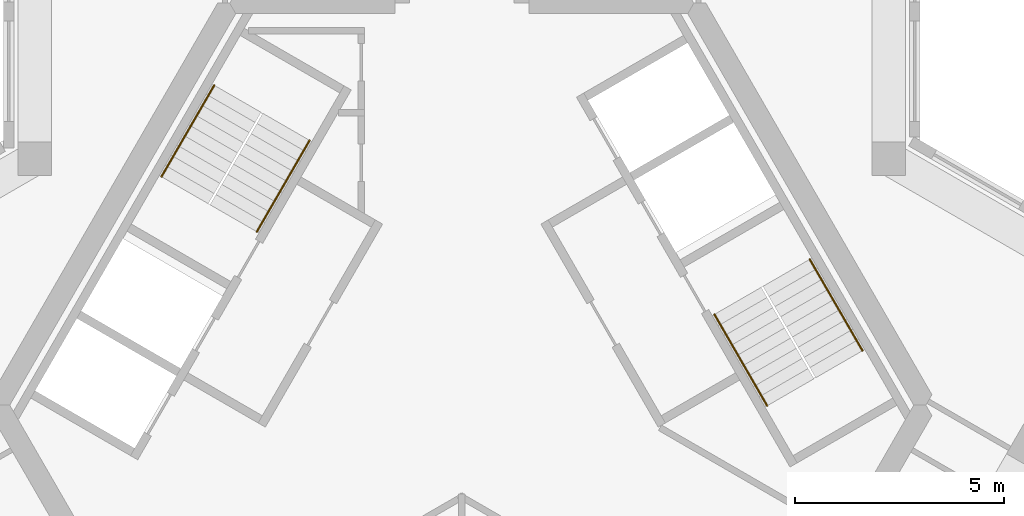
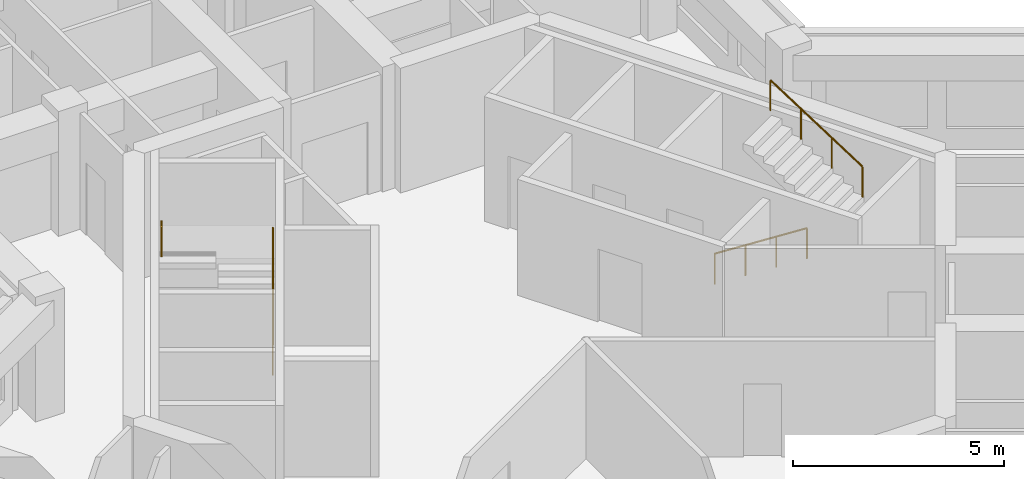
# One storey, part 14 of 14: 4 railings.
"""IFC4 building model written with IfcOpenShell, lengths in metres."""

from ifc_helpers import new_model, si_unit, direction, frame, origin, origin_2d, place, context, subcontext, project, spatial, circle, extrude, material, type_object, element, save


model = new_model("IFC4")

# Units and contexts
model_context = context("Model", 3, precision=1e-05, world=origin(), true_north=direction((0.0, 1.0)))
body_context = subcontext(model_context, "Body", "Model", "MODEL_VIEW")
ifc_project = project(units=[si_unit("LENGTHUNIT", "METRE"), si_unit("AREAUNIT", "SQUARE_METRE"), si_unit("VOLUMEUNIT", "CUBIC_METRE"), si_unit("PLANEANGLEUNIT", "RADIAN"), si_unit("MASSUNIT", "GRAM", prefix="KILO")], contexts=[model_context])

# Site, building, storey
site_placement = place(None, origin())
site = spatial("IfcSite", under=ifc_project, at=site_placement, CompositionType="ELEMENT")
building_placement = place(site_placement, origin())
building = spatial("IfcBuilding", under=site, at=building_placement, Name="Kosmar Iwan School Tower", CompositionType="ELEMENT")
storey_placement = place(building_placement, frame((0.0, 0.0, 292.60009765625)))
storey = spatial("IfcBuildingStorey", under=building, at=storey_placement, Name="L74", CompositionType="ELEMENT", Elevation=292.60009765625)

# Railings
ifc_material = material(Name="Black steel", Category="steel")
railing_type = type_object("IfcRailingType", Name="Stair handrail 900", PredefinedType="HANDRAIL", material=ifc_material)
railing_1_placement = place(storey_placement, frame((-4.89453125, 4.142333984375, 0.179931640625)))
element("IfcRailing", 1, at=railing_1_placement, inside=storey, type_object=railing_type, Name="Handrail ST2 flight 1", PredefinedType="HANDRAIL", context=body_context, shape_type="SweptSolid", body=[
    extrude(circle(Radius=0.02392578125, at=origin_2d()), frame((0.0, 0.0, 0.8759765625), z_axis=(0.42060268101, 0.72849590497, 0.54072830624), x_axis=(-0.866022637375, 0.500004791531, 0.0)), (0.0, 0.0, 1.0), 2.99560546875),
    extrude(circle(Radius=0.02099609375, at=origin_2d()), origin(), (0.0, 0.0, 1.0), 0.851806640625),
    extrude(circle(Radius=0.02099609375, at=origin_2d()), frame((0.419921875, 0.7275390625, 0.5400390625)), (0.0, 0.0, 1.0), 0.851806640625),
    extrude(circle(Radius=0.02099609375, at=origin_2d()), frame((0.840087890625, 1.454833984375, 1.079833984375)), (0.0, 0.0, 1.0), 0.851806640625),
    extrude(circle(Radius=0.02099609375, at=origin_2d()), frame((1.260009765625, 2.182373046875, 1.619873046875)), (0.0, 0.0, 1.0), 0.851806640625),
])
railing_2_placement = place(storey_placement, frame((-5.912353515625, 7.6396484375, 1.97998046875)))
element("IfcRailing", 2, at=railing_2_placement, inside=storey, type_object=railing_type, Name="Handrail ST2 flight 2", PredefinedType="HANDRAIL", context=body_context, shape_type="SweptSolid", body=[
    extrude(circle(Radius=0.02392578125, at=origin_2d()), frame((0.0, 0.0, 0.8759765625), z_axis=(-0.42060268101, -0.72849590497, 0.54072830624), x_axis=(0.866022637375, -0.500004791531, 0.0)), (0.0, 0.0, 1.0), 2.99560546875),
    extrude(circle(Radius=0.02099609375, at=origin_2d()), origin(), (0.0, 0.0, 1.0), 0.851806640625),
    extrude(circle(Radius=0.02099609375, at=origin_2d()), frame((-0.419921875, -0.7275390625, 0.5400390625)), (0.0, 0.0, 1.0), 0.851806640625),
    extrude(circle(Radius=0.02099609375, at=origin_2d()), frame((-0.840087890625, -1.454833984375, 1.079833984375)), (0.0, 0.0, 1.0), 0.851806640625),
    extrude(circle(Radius=0.02099609375, at=origin_2d()), frame((-1.260009765625, -2.182373046875, 1.619873046875)), (0.0, 0.0, 1.0), 0.851806640625),
])
railing_3_placement = place(storey_placement, frame((6.03466796875, 2.167724609375, 0.179931640625)))
element("IfcRailing", 3, at=railing_3_placement, inside=storey, type_object=railing_type, Name="Handrail ST1 flight 1", PredefinedType="HANDRAIL", context=body_context, shape_type="SweptSolid", body=[
    extrude(circle(Radius=0.02392578125, at=origin_2d()), frame((0.0, 0.0, 0.8759765625), z_axis=(0.42060268101, -0.72849590497, 0.54072830624), x_axis=(0.866022637375, 0.500004791531, 0.0)), (0.0, 0.0, 1.0), 2.99560546875),
    extrude(circle(Radius=0.02099609375, at=origin_2d()), origin(), (0.0, 0.0, 1.0), 0.851806640625),
    extrude(circle(Radius=0.02099609375, at=origin_2d()), frame((0.419921875, -0.7275390625, 0.5400390625)), (0.0, 0.0, 1.0), 0.851806640625),
    extrude(circle(Radius=0.02099609375, at=origin_2d()), frame((0.840087890625, -1.454833984375, 1.079833984375)), (0.0, 0.0, 1.0), 0.851806640625),
    extrude(circle(Radius=0.02099609375, at=origin_2d()), frame((1.260009765625, -2.182373046875, 1.619873046875)), (0.0, 0.0, 1.0), 0.851806640625),
])
railing_4_placement = place(storey_placement, frame((9.572265625, 1.30029296875, 1.97998046875)))
element("IfcRailing", 4, at=railing_4_placement, inside=storey, type_object=railing_type, Name="Handrail ST1 flight 2", PredefinedType="HANDRAIL", context=body_context, shape_type="SweptSolid", body=[
    extrude(circle(Radius=0.02392578125, at=origin_2d()), frame((0.0, 0.0, 0.8759765625), z_axis=(-0.42060268101, 0.72849590497, 0.54072830624), x_axis=(-0.866022637375, -0.500004791531, 0.0)), (0.0, 0.0, 1.0), 2.99560546875),
    extrude(circle(Radius=0.02099609375, at=origin_2d()), origin(), (0.0, 0.0, 1.0), 0.851806640625),
    extrude(circle(Radius=0.02099609375, at=origin_2d()), frame((-0.419921875, 0.7275390625, 0.5400390625)), (0.0, 0.0, 1.0), 0.851806640625),
    extrude(circle(Radius=0.02099609375, at=origin_2d()), frame((-0.840087890625, 1.454833984375, 1.079833984375)), (0.0, 0.0, 1.0), 0.851806640625),
    extrude(circle(Radius=0.02099609375, at=origin_2d()), frame((-1.260009765625, 2.182373046875, 1.619873046875)), (0.0, 0.0, 1.0), 0.851806640625),
])

save(model, "model.ifc")
